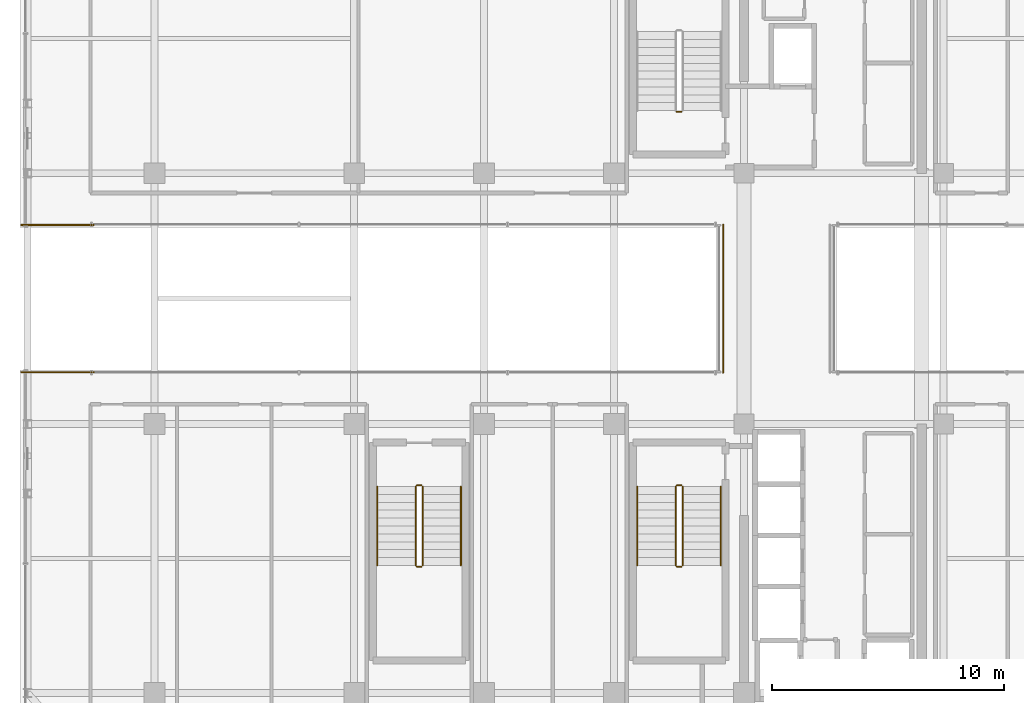
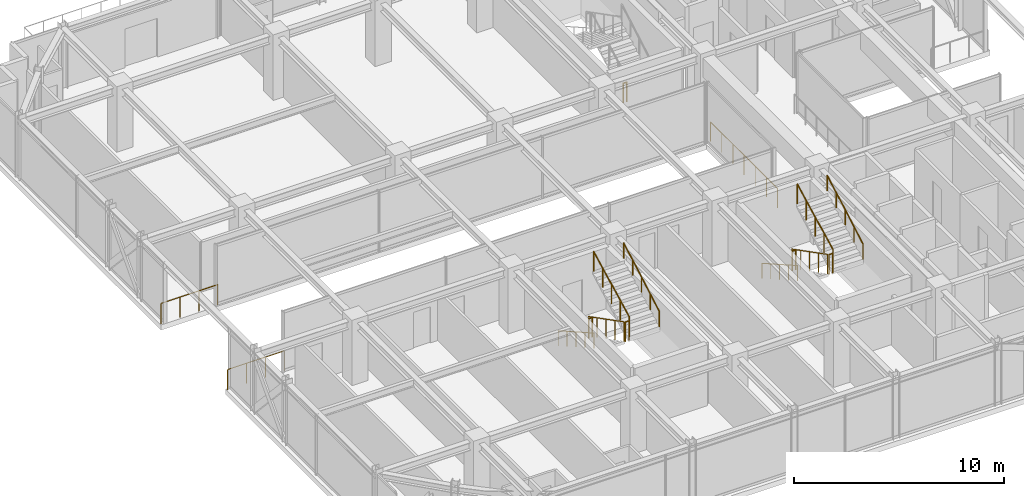
# One storey, part 36 of 39: 16 railings.
"""IFC4 building model written with IfcOpenShell, lengths in metres."""

from ifc_helpers import new_model, si_unit, direction, frame, origin, origin_2d, place, context, subcontext, project, spatial, circle, extrude, material, type_object, element, save


model = new_model("IFC4")

# Units and contexts
model_context = context("Model", 3, precision=1e-05, world=origin(), true_north=direction((0.0, 1.0)))
body_context = subcontext(model_context, "Body", "Model", "MODEL_VIEW")
ifc_project = project(units=[si_unit("LENGTHUNIT", "METRE"), si_unit("AREAUNIT", "SQUARE_METRE"), si_unit("VOLUMEUNIT", "CUBIC_METRE"), si_unit("PLANEANGLEUNIT", "RADIAN"), si_unit("MASSUNIT", "GRAM", prefix="KILO")], contexts=[model_context])

# Site, building, storey
site_placement = place(None, origin())
site = spatial("IfcSite", under=ifc_project, at=site_placement, CompositionType="ELEMENT")
building_placement = place(site_placement, origin())
building = spatial("IfcBuilding", under=site, at=building_placement, Name="Nahalor Promenade Grand Hotel", CompositionType="ELEMENT")
storey_placement = place(building_placement, frame((0.0, 0.0, 311.89990234375)))
storey = spatial("IfcBuildingStorey", under=building, at=storey_placement, Name="L80", CompositionType="ELEMENT", Elevation=311.89990234375)

# Railings
ifc_material_1 = material(Name="Anodised Bronze Aluminium EN AW-6063 T6", Category="aluminium")
railing_type_1 = type_object("IfcRailingType", Name="Bronze Balcony Guardrail 1200 mm", PredefinedType="GUARDRAIL", material=ifc_material_1)
for number, where, name in (
    (1, (-22.739990234375, -3.1708984375, 0.0), "L80 Oculus Void Edge Guardrail WS"),
    (2, (-22.739990234375, 3.1708984375, 0.0), "L80 Oculus Void Edge Guardrail WN"),
):
    element("IfcRailing", number, at=place(storey_placement, frame(where)), inside=storey, type_object=railing_type_1, Name=name, PredefinedType="GUARDRAIL", context=body_context, shape_type="SweptSolid", body=[
        extrude(circle(Radius=0.024048, at=origin_2d()), frame((0.0, 0.0, 1.17578125), z_axis=(1.0, 0.0, 0.0), x_axis=(0.0, 1.0, 0.0)), (0.0, 0.0, 1.0), 3.119873046875),
        extrude(circle(Radius=0.020996, at=origin_2d()), origin(), (0.0, 0.0, 1.0), 1.14990234375),
        extrude(circle(Radius=0.020996, at=origin_2d()), frame((1.0400390625, 0.0, 0.0)), (0.0, 0.0, 1.0), 1.14990234375),
        extrude(circle(Radius=0.020996, at=origin_2d()), frame((2.079833984375, 0.0, 0.0)), (0.0, 0.0, 1.0), 1.14990234375),
        extrude(circle(Radius=0.020996, at=origin_2d()), frame((3.119873046875, 0.0, 0.0)), (0.0, 0.0, 1.0), 1.14990234375),
    ])
railing_type_2 = type_object("IfcRailingType", Name="Bronze Sky Balustrade 1150 mm", PredefinedType="BALUSTRADE", material=ifc_material_1)
railing_1_placement = place(storey_placement, frame((7.5, -3.19091796875, 0.0)))
element("IfcRailing", 3, at=railing_1_placement, inside=storey, type_object=railing_type_2, Name="BL-L80-BRG-W", PredefinedType="BALUSTRADE", context=body_context, shape_type="SweptSolid", body=[
    extrude(circle(Radius=0.024048, at=origin_2d()), frame((0.0, 0.0, 1.1259765625), z_axis=(0.0, 1.0, 0.0), x_axis=(-1.0, 0.0, 0.0)), (0.0, 0.0, 1.0), 6.3818359375),
    extrude(circle(Radius=0.020996, at=origin_2d()), origin(), (0.0, 0.0, 1.0), 1.099853515625),
    extrude(circle(Radius=0.020996, at=origin_2d()), frame((0.0, 1.063720703125, 0.0)), (0.0, 0.0, 1.0), 1.099853515625),
    extrude(circle(Radius=0.020996, at=origin_2d()), frame((0.0, 2.127197265625, 0.0)), (0.0, 0.0, 1.0), 1.099853515625),
    extrude(circle(Radius=0.020996, at=origin_2d()), frame((0.0, 3.19091796875, 0.0)), (0.0, 0.0, 1.0), 1.099853515625),
    extrude(circle(Radius=0.020996, at=origin_2d()), frame((0.0, 4.254638671875, 0.0)), (0.0, 0.0, 1.0), 1.099853515625),
    extrude(circle(Radius=0.020996, at=origin_2d()), frame((0.0, 5.318115234375, 0.0)), (0.0, 0.0, 1.0), 1.099853515625),
    extrude(circle(Radius=0.020996, at=origin_2d()), frame((0.0, 6.3818359375, 0.0)), (0.0, 0.0, 1.0), 1.099853515625),
])
ifc_material_2 = material(Name="Steel S355JR", Category="steel")
railing_type_3 = type_object("IfcRailingType", Name="Steel Stair Guardrail 1150 mm", PredefinedType="GUARDRAIL", material=ifc_material_2)
railing_2_placement = place(storey_placement, frame((5.699951171875, 8.050048828125, 0.0)))
element("IfcRailing", 4, at=railing_2_placement, inside=storey, type_object=railing_type_3, Name="L80 ST1 stair guard 4", PredefinedType="GUARDRAIL", context=body_context, shape_type="SweptSolid", body=[
    extrude(circle(Radius=0.024048, at=origin_2d()), frame((0.0, 0.0, 1.1259765625), z_axis=(-1.0, 0.0, 0.0), x_axis=(0.0, -1.0, 0.0)), (0.0, 0.0, 1.0), 0.199951171875),
    extrude(circle(Radius=0.020996, at=origin_2d()), origin(), (0.0, 0.0, 1.0), 1.099853515625),
    extrude(circle(Radius=0.020996, at=origin_2d()), frame((-0.199951171875, 0.0, 0.0)), (0.0, 0.0, 1.0), 1.099853515625),
])
railing_3_placement = place(storey_placement, frame((5.449951171875, -8.10009765625, 0.175048828125)))
element("IfcRailing", 5, at=railing_3_placement, inside=storey, type_object=railing_type_3, Name="L80 ST2 stair guard 1", PredefinedType="GUARDRAIL", context=body_context, shape_type="SweptSolid", body=[
    extrude(circle(Radius=0.024048, at=origin_2d()), frame((0.0, 0.0, 1.1259765625), z_axis=(0.0, -0.889130461562, 0.457653823673), x_axis=(1.0, 0.0, 0.0)), (0.0, 0.0, 1.0), 3.82373046875),
    extrude(circle(Radius=0.020996, at=origin_2d()), origin(), (0.0, 0.0, 1.0), 1.099853515625),
    extrude(circle(Radius=0.020996, at=origin_2d()), frame((0.0, -0.85009765625, 0.4375)), (0.0, 0.0, 1.0), 1.099853515625),
    extrude(circle(Radius=0.020996, at=origin_2d()), frame((0.0, -1.699951171875, 0.875)), (0.0, 0.0, 1.0), 1.099853515625),
    extrude(circle(Radius=0.020996, at=origin_2d()), frame((0.0, -2.5498046875, 1.3125)), (0.0, 0.0, 1.0), 1.099853515625),
    extrude(circle(Radius=0.020996, at=origin_2d()), frame((0.0, -3.39990234375, 1.75)), (0.0, 0.0, 1.0), 1.099853515625),
])
railing_4_placement = place(storey_placement, frame((5.5, -11.550048828125, 1.925048828125)))
element("IfcRailing", 6, at=railing_4_placement, inside=storey, type_object=railing_type_3, Name="L80 ST2 stair guard 2", PredefinedType="GUARDRAIL", context=body_context, shape_type="SweptSolid", body=[
    extrude(circle(Radius=0.024048, at=origin_2d()), frame((0.0, 0.0, 1.1259765625), z_axis=(1.0, 0.0, 0.0), x_axis=(0.0, 1.0, 0.0)), (0.0, 0.0, 1.0), 0.199951171875),
    extrude(circle(Radius=0.020996, at=origin_2d()), origin(), (0.0, 0.0, 1.0), 1.099853515625),
    extrude(circle(Radius=0.020996, at=origin_2d()), frame((0.199951171875, 0.0, 0.0)), (0.0, 0.0, 1.0), 1.099853515625),
])
railing_5_placement = place(storey_placement, frame((5.75, -11.5, 2.10009765625)))
element("IfcRailing", 7, at=railing_5_placement, inside=storey, type_object=railing_type_3, Name="L80 ST2 stair guard 3", PredefinedType="GUARDRAIL", context=body_context, shape_type="SweptSolid", body=[
    extrude(circle(Radius=0.024048, at=origin_2d()), frame((0.0, 0.0, 1.1259765625), z_axis=(0.0, 0.889130461562, 0.457653823673), x_axis=(-1.0, 0.0, 0.0)), (0.0, 0.0, 1.0), 3.82373046875),
    extrude(circle(Radius=0.020996, at=origin_2d()), origin(), (0.0, 0.0, 1.0), 1.099853515625),
    extrude(circle(Radius=0.020996, at=origin_2d()), frame((0.0, 0.85009765625, 0.4375)), (0.0, 0.0, 1.0), 1.099853515625),
    extrude(circle(Radius=0.020996, at=origin_2d()), frame((0.0, 1.699951171875, 0.875)), (0.0, 0.0, 1.0), 1.099853515625),
    extrude(circle(Radius=0.020996, at=origin_2d()), frame((0.0, 2.5498046875, 1.3125)), (0.0, 0.0, 1.0), 1.099853515625),
    extrude(circle(Radius=0.020996, at=origin_2d()), frame((0.0, 3.39990234375, 1.75)), (0.0, 0.0, 1.0), 1.099853515625),
])
railing_6_placement = place(storey_placement, frame((5.5, -8.050048828125, 0.0)))
element("IfcRailing", 8, at=railing_6_placement, inside=storey, type_object=railing_type_3, Name="L80 ST2 stair guard 4", PredefinedType="GUARDRAIL", context=body_context, shape_type="SweptSolid", body=[
    extrude(circle(Radius=0.024048, at=origin_2d()), frame((0.0, 0.0, 1.1259765625), z_axis=(1.0, 0.0, 0.0), x_axis=(0.0, 1.0, 0.0)), (0.0, 0.0, 1.0), 0.199951171875),
    extrude(circle(Radius=0.020996, at=origin_2d()), origin(), (0.0, 0.0, 1.0), 1.099853515625),
    extrude(circle(Radius=0.020996, at=origin_2d()), frame((0.199951171875, 0.0, 0.0)), (0.0, 0.0, 1.0), 1.099853515625),
])
railing_7_placement = place(storey_placement, frame((-5.75, -8.10009765625, 0.175048828125)))
element("IfcRailing", 9, at=railing_7_placement, inside=storey, type_object=railing_type_3, Name="L80 ST3 stair guard 1", PredefinedType="GUARDRAIL", context=body_context, shape_type="SweptSolid", body=[
    extrude(circle(Radius=0.024048, at=origin_2d()), frame((0.0, 0.0, 1.1259765625), z_axis=(0.0, -0.889130461562, 0.457653823673), x_axis=(1.0, 0.0, 0.0)), (0.0, 0.0, 1.0), 3.82373046875),
    extrude(circle(Radius=0.020996, at=origin_2d()), origin(), (0.0, 0.0, 1.0), 1.099853515625),
    extrude(circle(Radius=0.020996, at=origin_2d()), frame((0.0, -0.85009765625, 0.4375)), (0.0, 0.0, 1.0), 1.099853515625),
    extrude(circle(Radius=0.020996, at=origin_2d()), frame((0.0, -1.699951171875, 0.875)), (0.0, 0.0, 1.0), 1.099853515625),
    extrude(circle(Radius=0.020996, at=origin_2d()), frame((0.0, -2.5498046875, 1.3125)), (0.0, 0.0, 1.0), 1.099853515625),
    extrude(circle(Radius=0.020996, at=origin_2d()), frame((0.0, -3.39990234375, 1.75)), (0.0, 0.0, 1.0), 1.099853515625),
])
railing_8_placement = place(storey_placement, frame((-5.699951171875, -11.550048828125, 1.925048828125)))
element("IfcRailing", 10, at=railing_8_placement, inside=storey, type_object=railing_type_3, Name="L80 ST3 stair guard 2", PredefinedType="GUARDRAIL", context=body_context, shape_type="SweptSolid", body=[
    extrude(circle(Radius=0.024048, at=origin_2d()), frame((0.0, 0.0, 1.1259765625), z_axis=(1.0, 0.0, 0.0), x_axis=(0.0, 1.0, 0.0)), (0.0, 0.0, 1.0), 0.199951171875),
    extrude(circle(Radius=0.020996, at=origin_2d()), origin(), (0.0, 0.0, 1.0), 1.099853515625),
    extrude(circle(Radius=0.020996, at=origin_2d()), frame((0.199951171875, 0.0, 0.0)), (0.0, 0.0, 1.0), 1.099853515625),
])
railing_9_placement = place(storey_placement, frame((-5.449951171875, -11.5, 2.10009765625)))
element("IfcRailing", 11, at=railing_9_placement, inside=storey, type_object=railing_type_3, Name="L80 ST3 stair guard 3", PredefinedType="GUARDRAIL", context=body_context, shape_type="SweptSolid", body=[
    extrude(circle(Radius=0.024048, at=origin_2d()), frame((0.0, 0.0, 1.1259765625), z_axis=(0.0, 0.889130461562, 0.457653823673), x_axis=(-1.0, 0.0, 0.0)), (0.0, 0.0, 1.0), 3.82373046875),
    extrude(circle(Radius=0.020996, at=origin_2d()), origin(), (0.0, 0.0, 1.0), 1.099853515625),
    extrude(circle(Radius=0.020996, at=origin_2d()), frame((0.0, 0.85009765625, 0.4375)), (0.0, 0.0, 1.0), 1.099853515625),
    extrude(circle(Radius=0.020996, at=origin_2d()), frame((0.0, 1.699951171875, 0.875)), (0.0, 0.0, 1.0), 1.099853515625),
    extrude(circle(Radius=0.020996, at=origin_2d()), frame((0.0, 2.5498046875, 1.3125)), (0.0, 0.0, 1.0), 1.099853515625),
    extrude(circle(Radius=0.020996, at=origin_2d()), frame((0.0, 3.39990234375, 1.75)), (0.0, 0.0, 1.0), 1.099853515625),
])
railing_10_placement = place(storey_placement, frame((-5.699951171875, -8.050048828125, 0.0)))
element("IfcRailing", 12, at=railing_10_placement, inside=storey, type_object=railing_type_3, Name="L80 ST3 stair guard 4", PredefinedType="GUARDRAIL", context=body_context, shape_type="SweptSolid", body=[
    extrude(circle(Radius=0.024048, at=origin_2d()), frame((0.0, 0.0, 1.1259765625), z_axis=(1.0, 0.0, 0.0), x_axis=(0.0, 1.0, 0.0)), (0.0, 0.0, 1.0), 0.199951171875),
    extrude(circle(Radius=0.020996, at=origin_2d()), origin(), (0.0, 0.0, 1.0), 1.099853515625),
    extrude(circle(Radius=0.020996, at=origin_2d()), frame((0.199951171875, 0.0, 0.0)), (0.0, 0.0, 1.0), 1.099853515625),
])
railing_type_4 = type_object("IfcRailingType", Name="Steel Stair Handrail 900 mm", PredefinedType="HANDRAIL", material=ifc_material_2)
railing_11_placement = place(storey_placement, frame((3.800048828125, -8.10009765625, 0.175048828125)))
element("IfcRailing", 13, at=railing_11_placement, inside=storey, type_object=railing_type_4, Name="L80 ST2 stair handrail 1", PredefinedType="HANDRAIL", context=body_context, shape_type="SweptSolid", body=[
    extrude(circle(Radius=0.024048, at=origin_2d()), frame((0.0, 0.0, 0.8759765625), z_axis=(0.0, -0.870193670192, 0.492709829776), x_axis=(1.0, 0.0, 0.0)), (0.0, 0.0, 1.0), 3.906982421875),
    extrude(circle(Radius=0.020996, at=origin_2d()), origin(), (0.0, 0.0, 1.0), 0.849853515625),
    extrude(circle(Radius=0.020996, at=origin_2d()), frame((0.0, -0.85009765625, 0.481201171875)), (0.0, 0.0, 1.0), 0.849853515625),
    extrude(circle(Radius=0.020996, at=origin_2d()), frame((0.0, -1.699951171875, 0.96240234375)), (0.0, 0.0, 1.0), 0.849853515625),
    extrude(circle(Radius=0.020996, at=origin_2d()), frame((0.0, -2.5498046875, 1.44384765625)), (0.0, 0.0, 1.0), 0.849853515625),
    extrude(circle(Radius=0.020996, at=origin_2d()), frame((0.0, -3.39990234375, 1.925048828125)), (0.0, 0.0, 1.0), 0.849853515625),
])
railing_12_placement = place(storey_placement, frame((7.39990234375, -11.5, 2.10009765625)))
element("IfcRailing", 14, at=railing_12_placement, inside=storey, type_object=railing_type_4, Name="L80 ST2 stair handrail 2", PredefinedType="HANDRAIL", context=body_context, shape_type="SweptSolid", body=[
    extrude(circle(Radius=0.024048, at=origin_2d()), frame((0.0, 0.0, 0.8759765625), z_axis=(0.0, 0.870193670192, 0.492709829776), x_axis=(-1.0, 0.0, 0.0)), (0.0, 0.0, 1.0), 3.906982421875),
    extrude(circle(Radius=0.020996, at=origin_2d()), origin(), (0.0, 0.0, 1.0), 0.849853515625),
    extrude(circle(Radius=0.020996, at=origin_2d()), frame((0.0, 0.85009765625, 0.481201171875)), (0.0, 0.0, 1.0), 0.849853515625),
    extrude(circle(Radius=0.020996, at=origin_2d()), frame((0.0, 1.699951171875, 0.96240234375)), (0.0, 0.0, 1.0), 0.849853515625),
    extrude(circle(Radius=0.020996, at=origin_2d()), frame((0.0, 2.5498046875, 1.44384765625)), (0.0, 0.0, 1.0), 0.849853515625),
    extrude(circle(Radius=0.020996, at=origin_2d()), frame((0.0, 3.39990234375, 1.925048828125)), (0.0, 0.0, 1.0), 0.849853515625),
])
railing_13_placement = place(storey_placement, frame((-7.39990234375, -8.10009765625, 0.175048828125)))
element("IfcRailing", 15, at=railing_13_placement, inside=storey, type_object=railing_type_4, Name="L80 ST3 stair handrail 1", PredefinedType="HANDRAIL", context=body_context, shape_type="SweptSolid", body=[
    extrude(circle(Radius=0.024048, at=origin_2d()), frame((0.0, 0.0, 0.8759765625), z_axis=(0.0, -0.870193670192, 0.492709829776), x_axis=(1.0, 0.0, 0.0)), (0.0, 0.0, 1.0), 3.906982421875),
    extrude(circle(Radius=0.020996, at=origin_2d()), origin(), (0.0, 0.0, 1.0), 0.849853515625),
    extrude(circle(Radius=0.020996, at=origin_2d()), frame((0.0, -0.85009765625, 0.481201171875)), (0.0, 0.0, 1.0), 0.849853515625),
    extrude(circle(Radius=0.020996, at=origin_2d()), frame((0.0, -1.699951171875, 0.96240234375)), (0.0, 0.0, 1.0), 0.849853515625),
    extrude(circle(Radius=0.020996, at=origin_2d()), frame((0.0, -2.5498046875, 1.44384765625)), (0.0, 0.0, 1.0), 0.849853515625),
    extrude(circle(Radius=0.020996, at=origin_2d()), frame((0.0, -3.39990234375, 1.925048828125)), (0.0, 0.0, 1.0), 0.849853515625),
])
railing_14_placement = place(storey_placement, frame((-3.800048828125, -11.5, 2.10009765625)))
element("IfcRailing", 16, at=railing_14_placement, inside=storey, type_object=railing_type_4, Name="L80 ST3 stair handrail 2", PredefinedType="HANDRAIL", context=body_context, shape_type="SweptSolid", body=[
    extrude(circle(Radius=0.024048, at=origin_2d()), frame((0.0, 0.0, 0.8759765625), z_axis=(0.0, 0.870193670192, 0.492709829776), x_axis=(-1.0, 0.0, 0.0)), (0.0, 0.0, 1.0), 3.906982421875),
    extrude(circle(Radius=0.020996, at=origin_2d()), origin(), (0.0, 0.0, 1.0), 0.849853515625),
    extrude(circle(Radius=0.020996, at=origin_2d()), frame((0.0, 0.85009765625, 0.481201171875)), (0.0, 0.0, 1.0), 0.849853515625),
    extrude(circle(Radius=0.020996, at=origin_2d()), frame((0.0, 1.699951171875, 0.96240234375)), (0.0, 0.0, 1.0), 0.849853515625),
    extrude(circle(Radius=0.020996, at=origin_2d()), frame((0.0, 2.5498046875, 1.44384765625)), (0.0, 0.0, 1.0), 0.849853515625),
    extrude(circle(Radius=0.020996, at=origin_2d()), frame((0.0, 3.39990234375, 1.925048828125)), (0.0, 0.0, 1.0), 0.849853515625),
])

save(model, "model.ifc")
